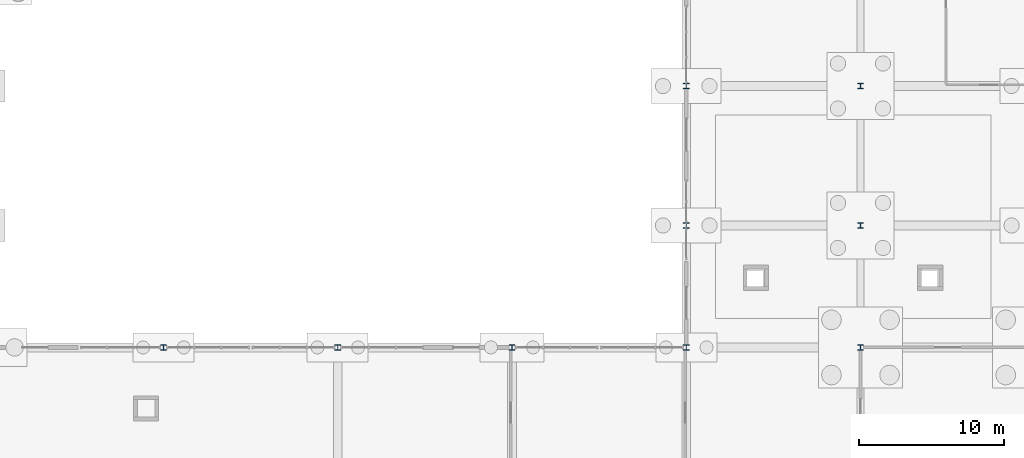
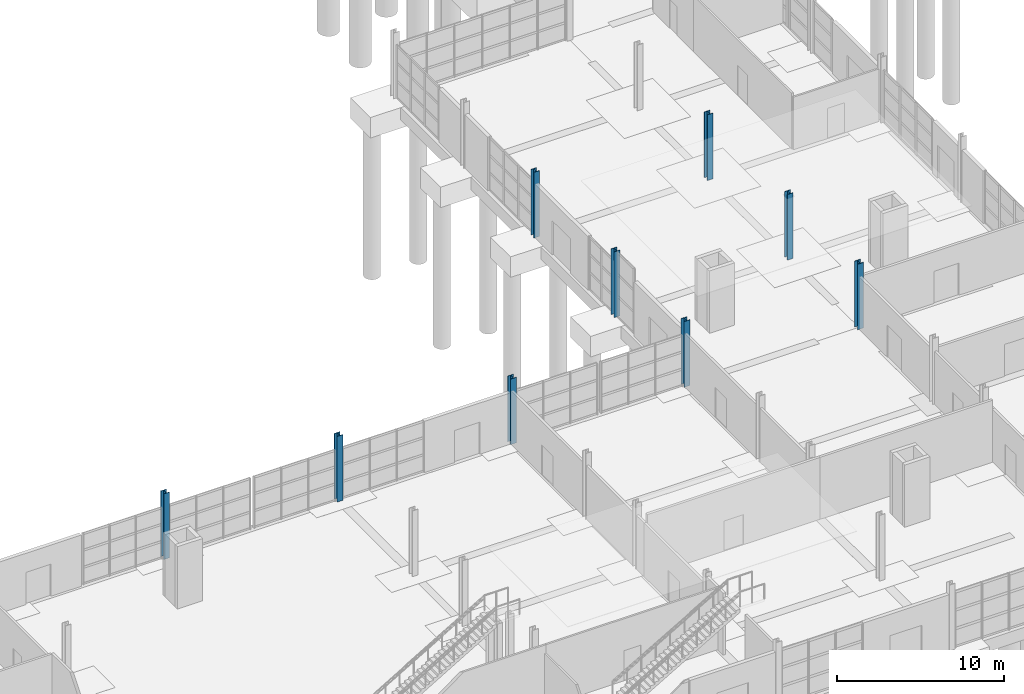
# One storey, part 12 of 82: 9 columns.
"""IFC4 building model written with IfcOpenShell, lengths in metres."""

from ifc_helpers import new_model, si_unit, direction, frame, origin, origin_2d, place, context, subcontext, project, spatial, i_section, extrude, material, material_profile, profile_set, type_object, element, save


model = new_model("IFC4")

# Units and contexts
model_context = context("Model", 3, precision=1e-05, world=origin(), true_north=direction((0.0, 1.0)))
body_context = subcontext(model_context, "Body", "Model", "MODEL_VIEW")
ifc_project = project(units=[si_unit("LENGTHUNIT", "METRE"), si_unit("AREAUNIT", "SQUARE_METRE"), si_unit("VOLUMEUNIT", "CUBIC_METRE"), si_unit("PLANEANGLEUNIT", "RADIAN"), si_unit("MASSUNIT", "GRAM", prefix="KILO")], contexts=[model_context])

# Site, building, storey
site_placement = place(None, origin())
site = spatial("IfcSite", under=ifc_project, at=site_placement, CompositionType="ELEMENT")
building_placement = place(site_placement, origin())
building = spatial("IfcBuilding", under=site, at=building_placement, Name="Kelmvaro Bay Concert Hall", CompositionType="ELEMENT")
storey_placement = place(building_placement, origin())
storey = spatial("IfcBuildingStorey", under=building, at=storey_placement, Name="L00", CompositionType="ELEMENT", Elevation=0.0)

# Columns
ifc_material_1 = material(Name="Steel ASTM A992 Grade 50", Category="steel")
ifc_material_profile_1 = material_profile(ifc_material_1, i_section(OverallWidth=0.40087890625, OverallDepth=0.39892578125, WebThickness=0.02490234375, FlangeThickness=0.03955078125, at=origin_2d()), Name="W14X211")
ifc_profile_set_1 = profile_set([ifc_material_profile_1], Name="Steel ASTM A992 Grade 50")
column_type_1 = type_object("IfcColumnType", Name="Bridge Anchor Column W14x211", PredefinedType="COLUMN", material=ifc_profile_set_1)
column_placement = place(storey_placement, frame((120.0, 39.0, 0.0), z_axis=(0.0, 0.0, 1.0), x_axis=(1.0, 0.0, 0.0)))
element("IfcColumn", 1, at=column_placement, inside=storey, type_object=column_type_1, Name="L00 Column V4B-120-390", PredefinedType="COLUMN", context=body_context, shape_type="SweptSolid", body=[
    extrude(i_section(OverallWidth=0.40087890625, OverallDepth=0.39892578125, WebThickness=0.02490234375, FlangeThickness=0.03955078125, at=origin_2d()), origin(), (0.0, 0.0, 1.0), 4.800048828125),
])
ifc_material_2 = material(Name="Steel ASTM A992 Grade 50", Category="steel")
ifc_material_profile_2 = material_profile(ifc_material_2, i_section(OverallWidth=0.39599609375, OverallDepth=0.381103515625, WebThickness=0.018798828125, FlangeThickness=0.0302734375, at=origin_2d()), Name="W14X159")
ifc_profile_set_2 = profile_set([ifc_material_profile_2], Name="Steel ASTM A992 Grade 50")
column_type_2 = type_object("IfcColumnType", Name="Foyer Concourse Column W14x159", PredefinedType="COLUMN", material=ifc_profile_set_2)
for number, where, z_axis, x_axis, name in (
    (2, (96.0, 39.0, 0.0), (0.0, 0.0, 1.0), (1.0, 0.0, 0.0), "L00 Column V5S-96-390"),
    (3, (108.0, 39.0, 0.0), (0.0, 0.0, 1.0), (1.0, 0.0, 0.0), "L00 Column V5S-108-390"),
    (4, (108.0, 47.39990234375, 0.0), (0.0, 0.0, 1.0), (1.0, 0.0, 0.0), "L00 Column V5E-108-474"),
    (5, (108.0, 57.0, 0.0), (0.0, 0.0, 1.0), (1.0, 0.0, 0.0), "L00 Column V5E-108-570"),
    (6, (120.0, 47.39990234375, 0.0), (0.0, 0.0, 1.0), (1.0, 0.0, 0.0), "L00 Column V5E-120-474"),
    (7, (120.0, 57.0, 0.0), (0.0, 0.0, 1.0), (1.0, 0.0, 0.0), "L00 Column V5E-120-570"),
):
    element("IfcColumn", number, at=place(storey_placement, frame(where, z_axis=z_axis, x_axis=x_axis)), inside=storey, type_object=column_type_2, Name=name, PredefinedType="COLUMN", context=body_context, shape_type="SweptSolid", body=[
        extrude(i_section(OverallWidth=0.39599609375, OverallDepth=0.381103515625, WebThickness=0.018798828125, FlangeThickness=0.0302734375, at=origin_2d()), origin(), (0.0, 0.0, 1.0), 4.800048828125),
    ])
ifc_material_3 = material(Name="Steel ASTM A992 Grade 50", Category="steel")
ifc_material_profile_3 = material_profile(ifc_material_3, i_section(OverallWidth=0.39892578125, OverallDepth=0.385986328125, WebThickness=0.02099609375, FlangeThickness=0.033203125, at=origin_2d()), Name="W14X176")
ifc_profile_set_3 = profile_set([ifc_material_profile_3], Name="Steel ASTM A992 Grade 50")
column_type_3 = type_object("IfcColumnType", Name="Foyer Heavy Column W14x176", PredefinedType="COLUMN", material=ifc_profile_set_3)
for number, where, z_axis, x_axis, name in (
    (8, (72.0, 39.0, 0.0), (0.0, 0.0, 1.0), (1.0, 0.0, 0.0), "L00 Column V5S-72-390"),
    (9, (84.0, 39.0, 0.0), (0.0, 0.0, 1.0), (1.0, 0.0, 0.0), "L00 Column V5S-84-390"),
):
    element("IfcColumn", number, at=place(storey_placement, frame(where, z_axis=z_axis, x_axis=x_axis)), inside=storey, type_object=column_type_3, Name=name, PredefinedType="COLUMN", context=body_context, shape_type="SweptSolid", body=[
        extrude(i_section(OverallWidth=0.39892578125, OverallDepth=0.385986328125, WebThickness=0.02099609375, FlangeThickness=0.033203125, at=origin_2d()), origin(), (0.0, 0.0, 1.0), 4.800048828125),
    ])

save(model, "model.ifc")
